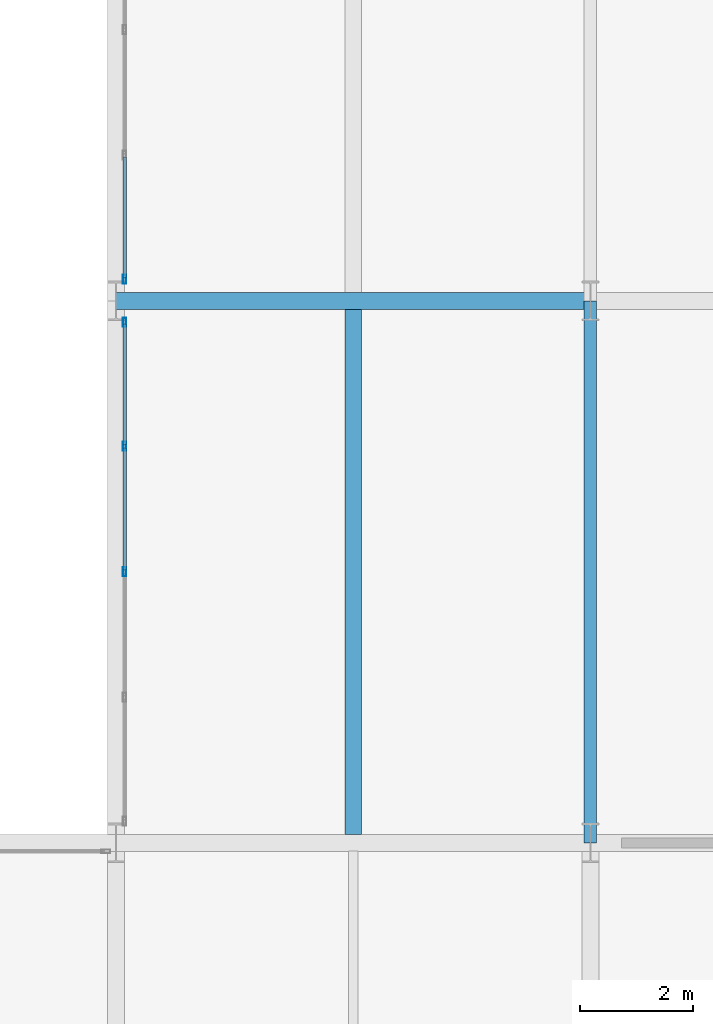
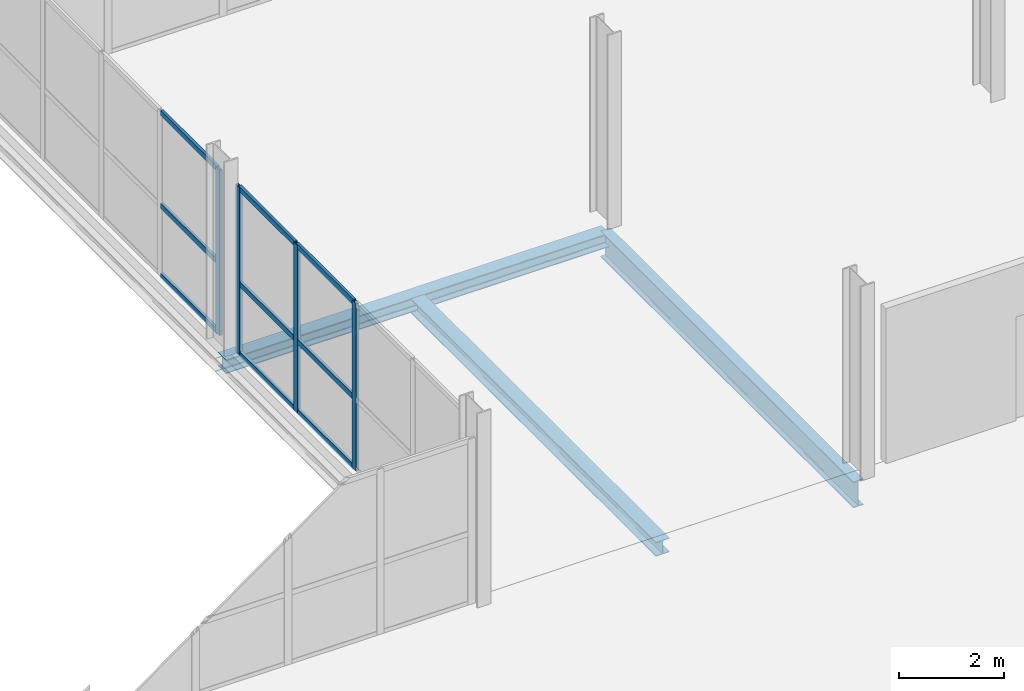
# One storey, part 52 of 113: 13 members, 3 beams, 2 elements without a shape of their own.
"""IFC4 building model written with IfcOpenShell, lengths in metres."""

from ifc_helpers import new_model, si_unit, direction, frame, origin, origin_2d, place, context, subcontext, project, spatial, hollow_rectangle, i_section, extrude, material, material_profile, profile_set, type_object, element, aggregate, save


model = new_model("IFC4")

# Units and contexts
model_context = context("Model", 3, precision=1e-05, world=origin(), true_north=direction((0.0, 1.0)))
body_context = subcontext(model_context, "Body", "Model", "MODEL_VIEW")
ifc_project = project(units=[si_unit("LENGTHUNIT", "METRE"), si_unit("AREAUNIT", "SQUARE_METRE"), si_unit("VOLUMEUNIT", "CUBIC_METRE"), si_unit("PLANEANGLEUNIT", "RADIAN"), si_unit("MASSUNIT", "GRAM", prefix="KILO")], contexts=[model_context])

# Site, building, storey
site_placement = place(None, origin())
site = spatial("IfcSite", under=ifc_project, at=site_placement, CompositionType="ELEMENT")
building_placement = place(site_placement, origin())
building = spatial("IfcBuilding", under=site, at=building_placement, Name="Veltarok Museum of Natural Sciences", CompositionType="ELEMENT")
storey_placement = place(building_placement, frame((0.0, 0.0, 8.39990234375)))
storey = spatial("IfcBuildingStorey", under=building, at=storey_placement, Name="L01", CompositionType="ELEMENT", Elevation=8.39990234375)

# Curtain wall, members
ifc_material_1 = material(Name="Low-iron triple insulated glass", Category="glass")
curtain_wall_type_1 = type_object("IfcCurtainWallType", Name="Curtain Wall System CW-V2NPW1-L01-0-890x388 (CW-V2NPW1 L01 890x388cm)", PredefinedType="NOTDEFINED", material=ifc_material_1)
curtain_wall_1_placement = place(storey_placement, origin())
curtain_wall_1 = element("IfcCurtainWall", 1, at=curtain_wall_1_placement, inside=storey, type_object=curtain_wall_type_1, Name="Curtain Wall CW-V2NPW1-L01-0-890x388 CW-0220", PredefinedType="NOTDEFINED")
ifc_material_2 = material(Name="Thermally broken anodised aluminium", Category="aluminium")
ifc_material_profile_1 = material_profile(ifc_material_2, hollow_rectangle(XDim=0.06005859375, YDim=0.1201171875, WallThickness=0.0048828125, at=origin_2d()), Name="CW TRANSOM 60x120x5")
ifc_profile_set_1 = profile_set([ifc_material_profile_1], Name="Thermally broken anodised aluminium")
member_type_1 = type_object("IfcMemberType", Name="Curtain Wall Horizontal Transom 60x120x5", PredefinedType="USERDEFINED", material=ifc_profile_set_1)
member_1_placement = place(storey_placement, frame((56.949951171875, 76.830078125, 0.028076171875), z_axis=(0.0, 1.0, 0.0), x_axis=(-1.0, 0.0, 0.0)))
member_1 = element("IfcMember", 2, at=member_1_placement, type_object=member_type_1, Name="CW-V2NPW1-L01-0-890x388 transom 3.1", ObjectType="TRANSOM", PredefinedType="USERDEFINED", context=body_context, shape_type="SweptSolid", body=[
    extrude(hollow_rectangle(XDim=0.06005859375, YDim=0.1201171875, WallThickness=0.0048828125, at=origin_2d()), origin(), (0.0, 0.0, 1.0), 2.1650390625),
])
member_2_placement = place(storey_placement, frame((56.949951171875, 76.830078125, 1.648193359375), z_axis=(0.0, 1.0, 0.0), x_axis=(-1.0, 0.0, 0.0)))
member_2 = element("IfcMember", 3, at=member_2_placement, type_object=member_type_1, Name="CW-V2NPW1-L01-0-890x388 transom 3.2", ObjectType="TRANSOM", PredefinedType="USERDEFINED", context=body_context, shape_type="SweptSolid", body=[
    extrude(hollow_rectangle(XDim=0.06005859375, YDim=0.1201171875, WallThickness=0.0048828125, at=origin_2d()), origin(), (0.0, 0.0, 1.0), 2.1650390625),
])
member_3_placement = place(storey_placement, frame((56.949951171875, 76.830078125, 3.85009765625), z_axis=(0.0, 1.0, 0.0), x_axis=(-1.0, 0.0, 0.0)))
member_3 = element("IfcMember", 4, at=member_3_placement, type_object=member_type_1, Name="CW-V2NPW1-L01-0-890x388 transom 3.3", ObjectType="TRANSOM", PredefinedType="USERDEFINED", context=body_context, shape_type="SweptSolid", body=[
    extrude(hollow_rectangle(XDim=0.06005859375, YDim=0.1201171875, WallThickness=0.0048828125, at=origin_2d()), origin(), (0.0, 0.0, 1.0), 2.1650390625),
])
member_4_placement = place(storey_placement, frame((56.949951171875, 79.054931640625, 0.028076171875), z_axis=(0.0, 1.0, 0.0), x_axis=(-1.0, 0.0, 0.0)))
member_4 = element("IfcMember", 5, at=member_4_placement, type_object=member_type_1, Name="CW-V2NPW1-L01-0-890x388 transom 4.1", ObjectType="TRANSOM", PredefinedType="USERDEFINED", context=body_context, shape_type="SweptSolid", body=[
    extrude(hollow_rectangle(XDim=0.06005859375, YDim=0.1201171875, WallThickness=0.0048828125, at=origin_2d()), origin(), (0.0, 0.0, 1.0), 2.135009765625),
])
member_5_placement = place(storey_placement, frame((56.949951171875, 79.054931640625, 1.648193359375), z_axis=(0.0, 1.0, 0.0), x_axis=(-1.0, 0.0, 0.0)))
member_5 = element("IfcMember", 6, at=member_5_placement, type_object=member_type_1, Name="CW-V2NPW1-L01-0-890x388 transom 4.2", ObjectType="TRANSOM", PredefinedType="USERDEFINED", context=body_context, shape_type="SweptSolid", body=[
    extrude(hollow_rectangle(XDim=0.06005859375, YDim=0.1201171875, WallThickness=0.0048828125, at=origin_2d()), origin(), (0.0, 0.0, 1.0), 2.135009765625),
])
member_6_placement = place(storey_placement, frame((56.949951171875, 79.054931640625, 3.85009765625), z_axis=(0.0, 1.0, 0.0), x_axis=(-1.0, 0.0, 0.0)))
member_6 = element("IfcMember", 7, at=member_6_placement, type_object=member_type_1, Name="CW-V2NPW1-L01-0-890x388 transom 4.3", ObjectType="TRANSOM", PredefinedType="USERDEFINED", context=body_context, shape_type="SweptSolid", body=[
    extrude(hollow_rectangle(XDim=0.06005859375, YDim=0.1201171875, WallThickness=0.0048828125, at=origin_2d()), origin(), (0.0, 0.0, 1.0), 2.135009765625),
])

curtain_wall_type_2 = type_object("IfcCurtainWallType", Name="Curtain Wall System CW-V2NPW1-L01-1-890x383 (CW-V2NPW1 L01 890x383cm)", PredefinedType="NOTDEFINED", material=ifc_material_1)
curtain_wall_2_placement = place(storey_placement, origin())
curtain_wall_2 = element("IfcCurtainWall", 8, at=curtain_wall_2_placement, inside=storey, type_object=curtain_wall_type_2, Name="Curtain Wall CW-V2NPW1-L01-1-890x383 CW-0221", PredefinedType="NOTDEFINED")
member_7_placement = place(storey_placement, frame((56.949951171875, 82.010009765625, 0.028076171875), z_axis=(0.0, 1.0, 0.0), x_axis=(-1.0, 0.0, 0.0)))
member_7 = element("IfcMember", 9, at=member_7_placement, type_object=member_type_1, Name="CW-V2NPW1-L01-1-890x383 transom 1.1", ObjectType="TRANSOM", PredefinedType="USERDEFINED", context=body_context, shape_type="SweptSolid", body=[
    extrude(hollow_rectangle(XDim=0.06005859375, YDim=0.1201171875, WallThickness=0.0048828125, at=origin_2d()), origin(), (0.0, 0.0, 1.0), 2.135009765625),
])
member_8_placement = place(storey_placement, frame((56.949951171875, 82.010009765625, 1.648193359375), z_axis=(0.0, 1.0, 0.0), x_axis=(-1.0, 0.0, 0.0)))
member_8 = element("IfcMember", 10, at=member_8_placement, type_object=member_type_1, Name="CW-V2NPW1-L01-1-890x383 transom 1.2", ObjectType="TRANSOM", PredefinedType="USERDEFINED", context=body_context, shape_type="SweptSolid", body=[
    extrude(hollow_rectangle(XDim=0.06005859375, YDim=0.1201171875, WallThickness=0.0048828125, at=origin_2d()), origin(), (0.0, 0.0, 1.0), 2.135009765625),
])
member_9_placement = place(storey_placement, frame((56.949951171875, 82.010009765625, 3.800048828125), z_axis=(0.0, 1.0, 0.0), x_axis=(-1.0, 0.0, 0.0)))
member_9 = element("IfcMember", 11, at=member_9_placement, type_object=member_type_1, Name="CW-V2NPW1-L01-1-890x383 transom 1.3", ObjectType="TRANSOM", PredefinedType="USERDEFINED", context=body_context, shape_type="SweptSolid", body=[
    extrude(hollow_rectangle(XDim=0.06005859375, YDim=0.1201171875, WallThickness=0.0048828125, at=origin_2d()), origin(), (0.0, 0.0, 1.0), 2.135009765625),
])

# Member
ifc_material_profile_2 = material_profile(ifc_material_2, hollow_rectangle(XDim=0.06005859375, YDim=0.159912109375, WallThickness=0.0048828125, at=origin_2d()), Name="CW MULLION 60x160x5")
ifc_profile_set_2 = profile_set([ifc_material_profile_2], Name="Thermally broken anodised aluminium")
member_type_2 = type_object("IfcMemberType", Name="Curtain Wall Vertical Mullion 60x160x5", PredefinedType="MULLION", material=ifc_profile_set_2)
member_10_placement = place(storey_placement, frame((56.949951171875, 76.800048828125, -0.001953125), z_axis=(0.0, 0.0, 1.0), x_axis=(-1.0, 0.0, 0.0)))
member_10 = element("IfcMember", 12, at=member_10_placement, type_object=member_type_2, Name="CW-V2NPW1-L01-0-890x388 mullion 3", PredefinedType="MULLION", context=body_context, shape_type="SweptSolid", body=[
    extrude(hollow_rectangle(XDim=0.06005859375, YDim=0.159912109375, WallThickness=0.0048828125, at=origin_2d()), origin(), (0.0, 0.0, 1.0), 3.882080078125),
])

member_11_placement = place(storey_placement, frame((56.949951171875, 79.02490234375, -0.001953125), z_axis=(0.0, 0.0, 1.0), x_axis=(-1.0, 0.0, 0.0)))
member_11 = element("IfcMember", 13, at=member_11_placement, type_object=member_type_2, Name="CW-V2NPW1-L01-0-890x388 mullion 4", PredefinedType="MULLION", context=body_context, shape_type="SweptSolid", body=[
    extrude(hollow_rectangle(XDim=0.06005859375, YDim=0.159912109375, WallThickness=0.0048828125, at=origin_2d()), origin(), (0.0, 0.0, 1.0), 3.882080078125),
])

member_12_placement = place(storey_placement, frame((56.949951171875, 81.219970703125, -0.001953125), z_axis=(0.0, 0.0, 1.0), x_axis=(-1.0, 0.0, 0.0)))
member_12 = element("IfcMember", 14, at=member_12_placement, type_object=member_type_2, Name="CW-V2NPW1-L01-0-890x388 mullion 5", PredefinedType="MULLION", context=body_context, shape_type="SweptSolid", body=[
    extrude(hollow_rectangle(XDim=0.06005859375, YDim=0.159912109375, WallThickness=0.0048828125, at=origin_2d()), origin(), (0.0, 0.0, 1.0), 3.882080078125),
])

aggregate(curtain_wall_1, [member_10, member_11, member_12, member_1, member_2, member_3, member_4, member_5, member_6])

member_13_placement = place(storey_placement, frame((56.949951171875, 81.97998046875, -0.001953125), z_axis=(0.0, 0.0, 1.0), x_axis=(-1.0, 0.0, 0.0)))
member_13 = element("IfcMember", 15, at=member_13_placement, type_object=member_type_2, Name="CW-V2NPW1-L01-1-890x383 mullion 1", PredefinedType="MULLION", context=body_context, shape_type="SweptSolid", body=[
    extrude(hollow_rectangle(XDim=0.06005859375, YDim=0.159912109375, WallThickness=0.0048828125, at=origin_2d()), origin(), (0.0, 0.0, 1.0), 3.83203125),
])

aggregate(curtain_wall_2, [member_13, member_7, member_8, member_9])

# Beams
ifc_material_3 = material(Name="Steel S355J2", Category="steel")
ifc_material_profile_3 = material_profile(ifc_material_3, i_section(OverallWidth=0.300048828125, OverallDepth=0.330078125, WebThickness=0.009521484375, FlangeThickness=0.0166015625, FilletRadius=0.027099609375, at=origin_2d()), Name="HEA 340")
ifc_profile_set_3 = profile_set([ifc_material_profile_3], Name="Steel S355J2")
beam_type_1 = type_object("IfcBeamType", Name="Exhibition Floor Joist HEA 340", PredefinedType="JOIST", material=ifc_profile_set_3)
beam_1_placement = place(storey_placement, frame((61.0, 72.14794921875, -0.414794921875), z_axis=(0.0, 1.0, 0.0), x_axis=(-1.0, 0.0, 0.0)))
element("IfcBeam", 16, at=beam_1_placement, inside=storey, type_object=beam_type_1, Name="Secondary Joist BM-J08 L01 7-8/H-J.1", PredefinedType="JOIST", context=body_context, shape_type="SweptSolid", body=[
    extrude(i_section(OverallWidth=0.300048828125, OverallDepth=0.330078125, WebThickness=0.009521484375, FlangeThickness=0.0166015625, FilletRadius=0.027099609375, at=origin_2d()), origin(), (0.0, 0.0, 1.0), 9.303955078125),
])
ifc_material_profile_4 = material_profile(ifc_material_3, i_section(OverallWidth=0.300048828125, OverallDepth=0.320068359375, WebThickness=0.011474609375, FlangeThickness=0.0205078125, FilletRadius=0.027099609375, at=origin_2d()), Name="HEB 320")
ifc_profile_set_4 = profile_set([ifc_material_profile_4], Name="Steel S355J2")
beam_type_2 = type_object("IfcBeamType", Name="Perimeter Sawtooth Spandrel HEB 320", PredefinedType="SPANDREL", material=ifc_profile_set_4)
beam_2_placement = place(storey_placement, frame((56.800048828125, 81.60009765625, -0.409912109375), z_axis=(1.0, 0.0, 0.0), x_axis=(0.0, 1.0, 0.0)))
element("IfcBeam", 17, at=beam_2_placement, inside=storey, type_object=beam_type_2, Name="Beam BM-SP06 L01 7-8/J", PredefinedType="SPANDREL", context=body_context, shape_type="SweptSolid", body=[
    extrude(i_section(OverallWidth=0.300048828125, OverallDepth=0.320068359375, WebThickness=0.011474609375, FlangeThickness=0.0205078125, FilletRadius=0.027099609375, at=origin_2d()), origin(), (0.0, 0.0, 1.0), 8.39990234375),
])
ifc_material_profile_5 = material_profile(ifc_material_3, i_section(OverallWidth=0.219970703125, OverallDepth=0.60009765625, WebThickness=0.011962890625, FlangeThickness=0.01904296875, FilletRadius=0.02392578125, at=origin_2d()), Name="IPE 600")
ifc_profile_set_5 = profile_set([ifc_material_profile_5], Name="Steel S355J2")
beam_type_3 = type_object("IfcBeamType", Name="Primary Museum Girder IPE 600", PredefinedType="BEAM", material=ifc_profile_set_5)
beam_3_placement = place(storey_placement, frame((65.199951171875, 72.0, -0.5498046875), z_axis=(0.0, 1.0, 0.0), x_axis=(-1.0, 0.0, 0.0)))
element("IfcBeam", 18, at=beam_3_placement, inside=storey, type_object=beam_type_3, Name="Beam BM-G02 L01 8/H-J", PredefinedType="BEAM", context=body_context, shape_type="SweptSolid", body=[
    extrude(i_section(OverallWidth=0.219970703125, OverallDepth=0.60009765625, WebThickness=0.011962890625, FlangeThickness=0.01904296875, FilletRadius=0.02392578125, at=origin_2d()), origin(), (0.0, 0.0, 1.0), 9.60009765625),
])

save(model, "model.ifc")
